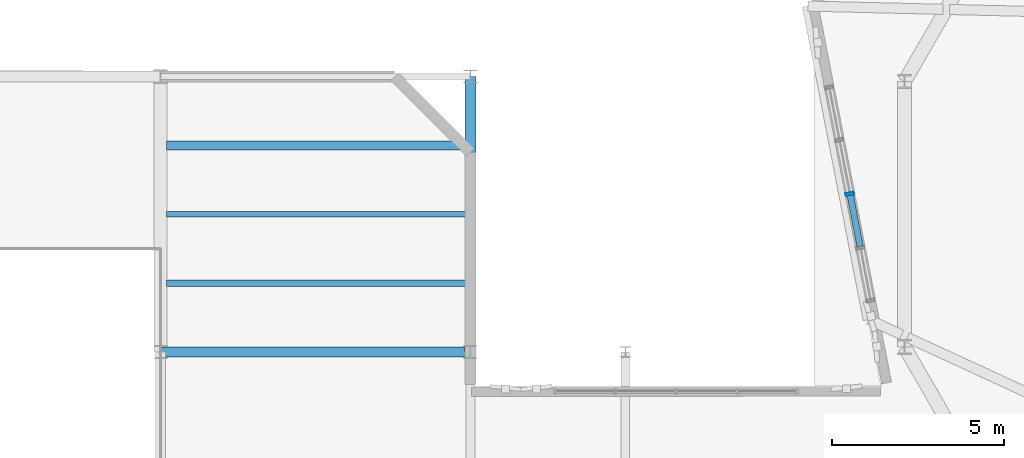
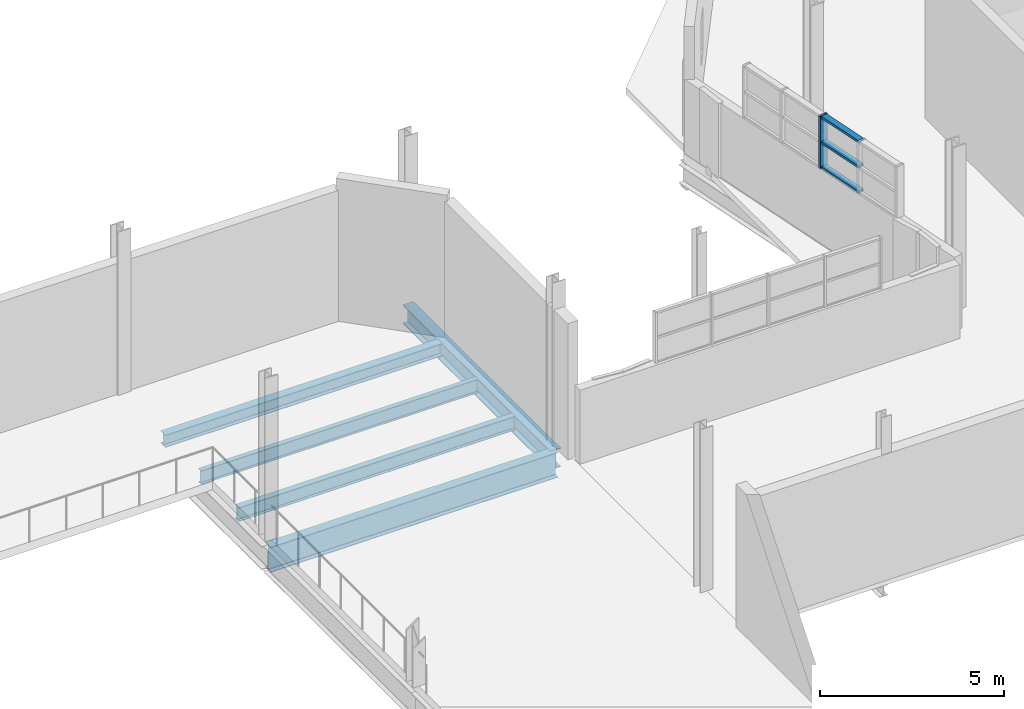
# One storey, part 17 of 142: 5 beams, 4 members, 1 element without a shape of its own.
"""IFC4 building model written with IfcOpenShell, lengths in metres."""

import ifcopenshell
import ifcopenshell.guid

model = None  # the IFC model being written
_history = None  # IfcOwnerHistory: only IFC2X3 demands one
_inside = {}  # id of a spatial element -> (the spatial element, [elements in it])
_under = {}  # id of a project, library or spatial element -> (it, [spatial elements below it])
_declared = {}  # id of a project -> (the project, [libraries it declares])
_typed = {}  # id of a type object -> (the type object, [elements of that type])
_made_of = {}  # id of a material, layer set ... -> (it, [elements and type objects made of it])


def new_model(schema):
    """Start an empty IFC model of exactly this schema.

    Asked for "IFC4X3", IfcOpenShell would pick the latest addendum, in which some entities
    have other attributes; the version numbers below select the first issue.
    IFC2X3 requires an IfcOwnerHistory on every rooted entity: one is made here for all.
    """
    global model, _history
    if schema == "IFC4X3":
        model = ifcopenshell.file(schema_version=(4, 3, 0, 0))
    else:
        model = ifcopenshell.file(schema=schema)
    _inside.clear()
    _under.clear()
    _declared.clear()
    _typed.clear()
    _made_of.clear()
    _history = None
    if model.schema == "IFC2X3":
        org = make("IfcOrganization", Name="unknown")
        user = make(
            "IfcPersonAndOrganization",
            ThePerson=make("IfcPerson", FamilyName="unknown"),
            TheOrganization=org,
        )
        app = make(
            "IfcApplication",
            ApplicationDeveloper=org,
            Version="unknown",
            ApplicationFullName="unknown",
            ApplicationIdentifier="unknown",
        )
        _history = make(
            "IfcOwnerHistory",
            OwningUser=user,
            OwningApplication=app,
            ChangeAction="ADDED",
            CreationDate=0,
        )
    return model


def make(cls, **values):
    """One entity of the class cls with the attributes given. An attribute that is None is left unset."""
    return model.create_entity(
        cls, **{name: value for name, value in values.items() if value is not None}
    )


def rooted(cls, **values):
    """An entity with a GlobalId (a new one), such as an element, a storey or a relation."""
    return make(cls, GlobalId=ifcopenshell.guid.new(), OwnerHistory=_history, **values)


def si_unit(unit_type, name, prefix=None):
    """IfcSIUnit, for example si_unit("LENGTHUNIT", "METRE", prefix="MILLI")."""
    return make("IfcSIUnit", UnitType=unit_type, Prefix=prefix, Name=name)


def assignment(units):
    """IfcUnitAssignment: the units of a project."""
    return None if units is None else make("IfcUnitAssignment", Units=units)


def point(xyz):
    """IfcCartesianPoint."""
    return None if xyz is None else make("IfcCartesianPoint", Coordinates=xyz)


def direction(xyz):
    """IfcDirection."""
    return None if xyz is None else make("IfcDirection", DirectionRatios=xyz)


def frame(location, z_axis=None, x_axis=None):
    """IfcAxis2Placement3D, a coordinate frame: its origin and axes. An axis left out is left unset."""
    return make(
        "IfcAxis2Placement3D",
        Location=point(location),
        Axis=direction(z_axis),
        RefDirection=direction(x_axis),
    )


def frame_2d(location, x_axis=None):
    """IfcAxis2Placement2D, a coordinate frame in the plane: its origin and x axis."""
    return make(
        "IfcAxis2Placement2D", Location=point(location), RefDirection=direction(x_axis)
    )


def origin():
    """The frame at (0, 0, 0) with its axes left unset."""
    return frame((0.0, 0.0, 0.0))


def origin_2d():
    """The frame at (0, 0) in the plane with its x axis left unset."""
    return frame_2d((0.0, 0.0))


def place(relative_to, where):
    """IfcLocalPlacement: puts the frame where relative to a parent placement (None: the world)."""
    return make(
        "IfcLocalPlacement", PlacementRelTo=relative_to, RelativePlacement=where
    )


def context(
    kind, dimensions, precision=None, world=None, true_north=None, identifier=None
):
    """IfcGeometricRepresentationContext, for example the 3D "Model" context."""
    return make(
        "IfcGeometricRepresentationContext",
        ContextIdentifier=identifier,
        ContextType=kind,
        CoordinateSpaceDimension=dimensions,
        Precision=precision,
        WorldCoordinateSystem=world,
        TrueNorth=true_north,
    )


def subcontext(parent, identifier, kind, view, scale=None):
    """IfcGeometricRepresentationSubContext, for example "Body" below "Model"."""
    return make(
        "IfcGeometricRepresentationSubContext",
        ContextIdentifier=identifier,
        ContextType=kind,
        ParentContext=parent,
        TargetScale=scale,
        TargetView=view,
    )


def project(units=None, contexts=None):
    """IfcProject with its units and contexts."""
    return rooted(
        "IfcProject",
        Name="project",
        RepresentationContexts=contexts,
        UnitsInContext=assignment(units),
    )


def spatial(cls, under=None, at=None, **own):
    """A site, building, storey or space (cls), placed at a placement, below another one or the project."""
    s = rooted(cls, ObjectPlacement=at, **own)
    if under is not None:
        _under.setdefault(under.id(), (under, []))[1].append(s)
    return s


def profile(cls, at=None, kind="AREA", **sizes):
    """A parametric profile (cls). Its sizes go by their IFC names, for example OverallWidth=200.0."""
    return make(cls, ProfileType=kind, Position=at, **sizes)


def hollow_rectangle(**sizes):
    """IfcRectangleHollowProfileDef."""
    return profile("IfcRectangleHollowProfileDef", **sizes)


def i_section(**sizes):
    """IfcIShapeProfileDef."""
    return profile("IfcIShapeProfileDef", **sizes)


def extrude(swept, where, along, depth):
    """IfcExtrudedAreaSolid: the profile swept, set in the frame where, extruded along a direction by depth."""
    return make(
        "IfcExtrudedAreaSolid",
        SweptArea=swept,
        Position=where,
        ExtrudedDirection=direction(along),
        Depth=depth,
    )


def shape(context_of_items, identifier, shape_type, items):
    """IfcShapeRepresentation: the items that make up one representation, for example the "Body"."""
    return make(
        "IfcShapeRepresentation",
        ContextOfItems=context_of_items,
        RepresentationIdentifier=identifier,
        RepresentationType=shape_type,
        Items=items,
    )


def material(Name=None, Category=None):
    """IfcMaterial."""
    return make("IfcMaterial", Name=Name, Category=Category)


def layer(
    of_material, thickness, ventilated=None, Name=None, Category=None, Priority=None
):
    """IfcMaterialLayer: one layer of a wall or slab, of a material (None: an air gap)."""
    return make(
        "IfcMaterialLayer",
        Material=of_material,
        LayerThickness=thickness,
        IsVentilated=ventilated,
        Name=Name,
        Category=Category,
        Priority=Priority,
    )


def layer_set(layers, Name=None):
    """IfcMaterialLayerSet."""
    return make("IfcMaterialLayerSet", MaterialLayers=layers, LayerSetName=Name)


def material_profile(
    of_material, cross_section, Name=None, Category=None, Priority=None
):
    """IfcMaterialProfile: a cross section and its material."""
    return make(
        "IfcMaterialProfile",
        Name=Name,
        Material=of_material,
        Profile=cross_section,
        Priority=Priority,
        Category=Category,
    )


def profile_set(profiles, Name=None, composite=None):
    """IfcMaterialProfileSet."""
    return make(
        "IfcMaterialProfileSet",
        Name=Name,
        MaterialProfiles=profiles,
        CompositeProfile=composite,
    )


def made_of(thing, what):
    """Note that an element or type object is made of a material, layer set ...; save() writes the relation."""
    if what is not None:
        _made_of.setdefault(what.id(), (what, []))[1].append(thing)
    return thing


def type_object(cls, material=None, **own):
    """A type object (cls), such as IfcWallType, which elements share."""
    return made_of(rooted(cls, **own), material)


def element(
    cls,
    number,
    at=None,
    inside=None,
    cuts=None,
    type_object=None,
    material=None,
    context=None,
    identifier="Body",
    shape_type=None,
    held_by="IfcProductDefinitionShape",
    body=None,
    shapes=None,
    **own,
):
    """One element of the class cls, such as IfcWall. Its Tag is "e" and its number.

    at: its placement. inside: the storey or other place that contains it. cuts: it is an
    opening in that element (IfcRelVoidsElement). A single representation is given by context,
    identifier, shape_type and body (its items); several are given by shapes. held_by: the class
    of the entity that holds the representations. save() writes the other relations.
    """
    e = rooted(cls, Tag="e%d" % number, ObjectPlacement=at, **own)
    if body is not None:
        shapes = [shape(context, identifier, shape_type, body)]
    if shapes is not None:
        e.Representation = make(held_by, Representations=shapes)
    if inside is not None:
        _inside.setdefault(inside.id(), (inside, []))[1].append(e)
    if cuts is not None:
        rooted(
            "IfcRelVoidsElement", RelatingBuildingElement=cuts, RelatedOpeningElement=e
        )
    if type_object is not None:
        _typed.setdefault(type_object.id(), (type_object, []))[1].append(e)
    return made_of(e, material)


def aggregate(whole, parts):
    """IfcRelAggregates: a whole, such as a stair, and the parts it consists of."""
    return rooted("IfcRelAggregates", RelatingObject=whole, RelatedObjects=parts)


def save(model, path):
    """Write the relations noted so far, then the file.

    IfcRelAggregates (storeys below a building ...), IfcRelContainedInSpatialStructure (elements
    in a storey), IfcRelDefinesByType, IfcRelAssociatesMaterial and IfcRelDeclares: one each for
    every whole, place, type object, material and project.
    """
    for whole, parts in _under.values():
        aggregate(whole, parts)
    for where, things in _inside.values():
        rooted(
            "IfcRelContainedInSpatialStructure",
            RelatedElements=things,
            RelatingStructure=where,
        )
    for kind, things in _typed.values():
        rooted("IfcRelDefinesByType", RelatedObjects=things, RelatingType=kind)
    for what, things in _made_of.values():
        rooted("IfcRelAssociatesMaterial", RelatedObjects=things, RelatingMaterial=what)
    for by, libraries in _declared.values():
        rooted("IfcRelDeclares", RelatingContext=by, RelatedDefinitions=libraries)
    model.write(path)


model = new_model("IFC4")

# Units and contexts
model_context = context("Model", 3, precision=1e-05, world=origin(), true_north=direction((0.0, 1.0)))
body_context = subcontext(model_context, "Body", "Model", "MODEL_VIEW")
ifc_project = project(units=[si_unit("LENGTHUNIT", "METRE"), si_unit("AREAUNIT", "SQUARE_METRE"), si_unit("VOLUMEUNIT", "CUBIC_METRE"), si_unit("PLANEANGLEUNIT", "RADIAN"), si_unit("MASSUNIT", "GRAM", prefix="KILO"), si_unit("THERMODYNAMICTEMPERATUREUNIT", "KELVIN"), si_unit("POWERUNIT", "WATT")], contexts=[model_context])

# Site, building, storey
site_placement = place(None, origin())
site = spatial("IfcSite", under=ifc_project, at=site_placement, CompositionType="ELEMENT")
building_placement = place(site_placement, origin())
building = spatial("IfcBuilding", under=site, at=building_placement, Name="Zelmaris Science Centre", CompositionType="ELEMENT")
storey_placement = place(building_placement, frame((0.0, 0.0, 5.39990234375)))
storey = spatial("IfcBuildingStorey", under=building, at=storey_placement, Name="L01", CompositionType="ELEMENT", Elevation=5.39990234375)

# Curtain wall, members
ifc_material_1 = material(Name="Anodised architectural aluminium 6063-T6", Category="aluminium")
ifc_layer = layer(ifc_material_1, 0.18994140625, Name="Anodised architectural aluminium 6063-T6")
ifc_layer_set = layer_set([ifc_layer], Name="Anodised architectural aluminium 6063-T6")
curtain_wall_type = type_object("IfcCurtainWallType", Name="Curtain Wall CW-01", PredefinedType="USERDEFINED", material=ifc_layer_set)
curtain_wall_placement = place(storey_placement, origin())
curtain_wall = element("IfcCurtainWall", 1, at=curtain_wall_placement, inside=storey, type_object=curtain_wall_type, Name="L01 Clerestory curtain wall 193", ObjectType="GLAZED CURTAIN WALL", PredefinedType="USERDEFINED")
ifc_material_profile_1 = material_profile(ifc_material_1, hollow_rectangle(XDim=0.080078125, YDim=0.25, WallThickness=0.0048828125, at=origin_2d()), Name="ALU-MUL-80X250")
ifc_profile_set_1 = profile_set([ifc_material_profile_1], Name="Anodised architectural aluminium 6063-T6")
member_type_1 = type_object("IfcMemberType", Name="ALU-MUL-80X250", PredefinedType="MULLION", material=ifc_profile_set_1)
member_1_placement = place(storey_placement, frame((65.0234375, 36.589599609375, 2.420166015625), z_axis=(0.0, 0.0, 1.0), x_axis=(-0.190802142321, 0.981628515522, 0.0)))
member_1 = element("IfcMember", 2, at=member_1_placement, type_object=member_type_1, Name="CW-01 mullion 3", PredefinedType="MULLION", context=body_context, shape_type="SweptSolid", body=[
    extrude(hollow_rectangle(XDim=0.080078125, YDim=0.25, WallThickness=0.0048828125, at=origin_2d()), origin(), (0.0, 0.0, 1.0), 1.743896484375),
])
ifc_material_profile_2 = material_profile(ifc_material_1, hollow_rectangle(XDim=0.080078125, YDim=0.18994140625, WallThickness=0.00439453125, at=origin_2d()), Name="ALU-TRN-80X190")
ifc_profile_set_2 = profile_set([ifc_material_profile_2], Name="Anodised architectural aluminium 6063-T6")
member_type_2 = type_object("IfcMemberType", Name="ALU-TRN-80X190", PredefinedType="USERDEFINED", material=ifc_profile_set_2)
member_2_placement = place(storey_placement, frame((65.321044921875, 35.05908203125, 2.4560546875), z_axis=(-0.190719516861, 0.981644572077, 0.0), x_axis=(0.0, 0.0, 1.0)))
member_2 = element("IfcMember", 3, at=member_2_placement, type_object=member_type_2, Name="CW-01 transom 2.1", ObjectType="TRANSOM", PredefinedType="USERDEFINED", context=body_context, shape_type="SweptSolid", body=[
    extrude(hollow_rectangle(XDim=0.080078125, YDim=0.18994140625, WallThickness=0.00439453125, at=origin_2d()), origin(), (0.0, 0.0, 1.0), 1.5234375),
])
member_3_placement = place(storey_placement, frame((65.321044921875, 35.05908203125, 3.2919921875), z_axis=(-0.190719516861, 0.981644572077, 0.0), x_axis=(0.0, 0.0, 1.0)))
member_3 = element("IfcMember", 4, at=member_3_placement, type_object=member_type_2, Name="CW-01 transom 2.2", ObjectType="TRANSOM", PredefinedType="USERDEFINED", context=body_context, shape_type="SweptSolid", body=[
    extrude(hollow_rectangle(XDim=0.080078125, YDim=0.18994140625, WallThickness=0.00439453125, at=origin_2d()), origin(), (0.0, 0.0, 1.0), 1.5234375),
])
member_4_placement = place(storey_placement, frame((65.321044921875, 35.05908203125, 4.128173828125), z_axis=(-0.190719516861, 0.981644572077, 0.0), x_axis=(0.0, 0.0, 1.0)))
member_4 = element("IfcMember", 5, at=member_4_placement, type_object=member_type_2, Name="CW-01 transom 2.3", ObjectType="TRANSOM", PredefinedType="USERDEFINED", context=body_context, shape_type="SweptSolid", body=[
    extrude(hollow_rectangle(XDim=0.080078125, YDim=0.18994140625, WallThickness=0.00439453125, at=origin_2d()), origin(), (0.0, 0.0, 1.0), 1.5234375),
])
aggregate(curtain_wall, [member_1, member_2, member_3, member_4])

# Beams
ifc_material_2 = material(Name="Steel ASTM A992 Grade 50", Category="steel")
ifc_material_profile_3 = material_profile(ifc_material_2, i_section(OverallWidth=0.2919921875, OverallDepth=0.8359375, WebThickness=0.013916015625, FlangeThickness=0.018798828125, FilletRadius=0.02001953125, at=origin_2d()), Name="W33X118")
ifc_profile_set_3 = profile_set([ifc_material_profile_3], Name="Steel ASTM A992 Grade 50")
beam_type_1 = type_object("IfcBeamType", Name="Beam G-30 W33X118", PredefinedType="BEAM", material=ifc_profile_set_3)
beam_1_placement = place(storey_placement, frame((45.0, 32.0, -0.697998046875), z_axis=(1.0, 0.0, 0.0), x_axis=(0.0, 1.0, 0.0)))
element("IfcBeam", 6, at=beam_1_placement, inside=storey, type_object=beam_type_1, Name="L01 East-west girder 360", PredefinedType="BEAM", context=body_context, shape_type="SweptSolid", body=[
    extrude(i_section(OverallWidth=0.2919921875, OverallDepth=0.8359375, WebThickness=0.013916015625, FlangeThickness=0.018798828125, FilletRadius=0.02001953125, at=origin_2d()), origin(), (0.0, 0.0, 1.0), 9.0),
])
ifc_material_profile_4 = material_profile(ifc_material_2, i_section(OverallWidth=0.327880859375, OverallDepth=0.626953125, WebThickness=0.0166015625, FlangeThickness=0.027587890625, FilletRadius=0.014892578125, at=origin_2d()), Name="W24X146")
ifc_profile_set_4 = profile_set([ifc_material_profile_4], Name="Steel ASTM A992 Grade 50")
beam_type_2 = type_object("IfcBeamType", Name="Beam G-37 W24X146", PredefinedType="BEAM", material=ifc_profile_set_4)
beam_2_placement = place(storey_placement, frame((54.0, 32.0, -0.593505859375), z_axis=(0.0, 1.0, 0.0), x_axis=(-1.0, 0.0, 0.0)))
element("IfcBeam", 7, at=beam_2_placement, inside=storey, type_object=beam_type_2, Name="L01 North-south girder 274", PredefinedType="BEAM", context=body_context, shape_type="SweptSolid", body=[
    extrude(i_section(OverallWidth=0.327880859375, OverallDepth=0.626953125, WebThickness=0.0166015625, FlangeThickness=0.027587890625, FilletRadius=0.014892578125, at=origin_2d()), origin(), (0.0, 0.0, 1.0), 8.0),
])
ifc_material_profile_5 = material_profile(ifc_material_2, i_section(OverallWidth=0.19091796875, OverallDepth=0.4599609375, WebThickness=0.010009765625, FlangeThickness=0.01611328125, FilletRadius=0.012939453125, at=origin_2d()), Name="W18X55")
ifc_profile_set_5 = profile_set([ifc_material_profile_5], Name="Steel ASTM A992 Grade 50")
beam_type_3 = type_object("IfcBeamType", Name="Beam J-04 W18X55", PredefinedType="JOIST", material=ifc_profile_set_5)
beam_3_placement = place(storey_placement, frame((45.175537109375, 34.0, -0.510009765625), z_axis=(1.0, 0.0, 0.0), x_axis=(0.0, 1.0, 0.0)))
element("IfcBeam", 8, at=beam_3_placement, inside=storey, type_object=beam_type_3, Name="L01 Composite floor joist 138", PredefinedType="JOIST", context=body_context, shape_type="SweptSolid", body=[
    extrude(i_section(OverallWidth=0.19091796875, OverallDepth=0.4599609375, WebThickness=0.010009765625, FlangeThickness=0.01611328125, FilletRadius=0.012939453125, at=origin_2d()), origin(), (0.0, 0.0, 1.0), 8.675537109375),
])
ifc_material_profile_6 = material_profile(ifc_material_2, i_section(OverallWidth=0.152099609375, OverallDepth=0.455078125, WebThickness=0.008056640625, FlangeThickness=0.01318359375, FilletRadius=0.012939453125, at=origin_2d()), Name="W18X40")
ifc_profile_set_6 = profile_set([ifc_material_profile_6], Name="Steel ASTM A992 Grade 50")
beam_type_4 = type_object("IfcBeamType", Name="Beam J-05 W18X40", PredefinedType="JOIST", material=ifc_profile_set_6)
beam_4_placement = place(storey_placement, frame((45.175537109375, 36.0, -0.50732421875), z_axis=(1.0, 0.0, 0.0), x_axis=(0.0, 1.0, 0.0)))
element("IfcBeam", 9, at=beam_4_placement, inside=storey, type_object=beam_type_4, Name="L01 Composite floor joist 139", PredefinedType="JOIST", context=body_context, shape_type="SweptSolid", body=[
    extrude(i_section(OverallWidth=0.152099609375, OverallDepth=0.455078125, WebThickness=0.008056640625, FlangeThickness=0.01318359375, FilletRadius=0.012939453125, at=origin_2d()), origin(), (0.0, 0.0, 1.0), 8.675537109375),
])
ifc_material_profile_7 = material_profile(ifc_material_2, i_section(OverallWidth=0.260009765625, OverallDepth=0.4140625, WebThickness=0.010009765625, FlangeThickness=0.016845703125, FilletRadius=0.011962890625, at=origin_2d()), Name="W16X67")
ifc_profile_set_7 = profile_set([ifc_material_profile_7], Name="Steel ASTM A992 Grade 50")
beam_type_5 = type_object("IfcBeamType", Name="Beam J-06 W16X67", PredefinedType="JOIST", material=ifc_profile_set_7)
beam_5_placement = place(storey_placement, frame((45.175537109375, 38.0, -0.48681640625), z_axis=(1.0, 0.0, 0.0), x_axis=(0.0, 1.0, 0.0)))
element("IfcBeam", 10, at=beam_5_placement, inside=storey, type_object=beam_type_5, Name="L01 Composite floor joist 140", PredefinedType="JOIST", context=body_context, shape_type="SweptSolid", body=[
    extrude(i_section(OverallWidth=0.260009765625, OverallDepth=0.4140625, WebThickness=0.010009765625, FlangeThickness=0.016845703125, FilletRadius=0.011962890625, at=origin_2d()), origin(), (0.0, 0.0, 1.0), 8.675537109375),
])

save(model, "model.ifc")
